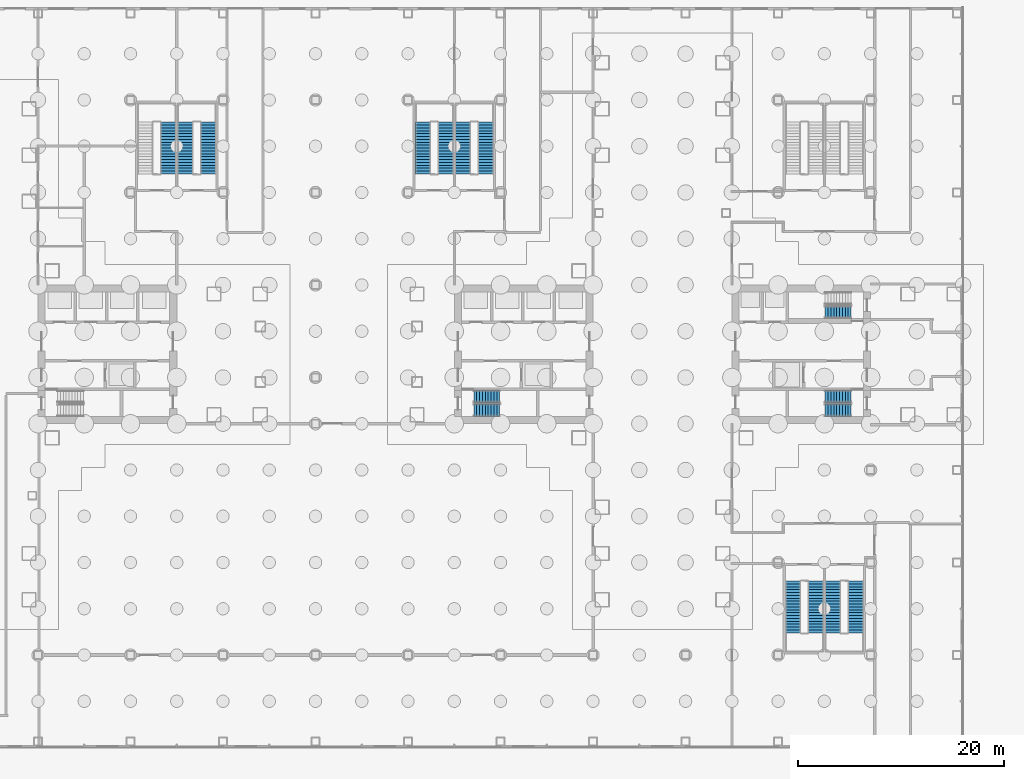
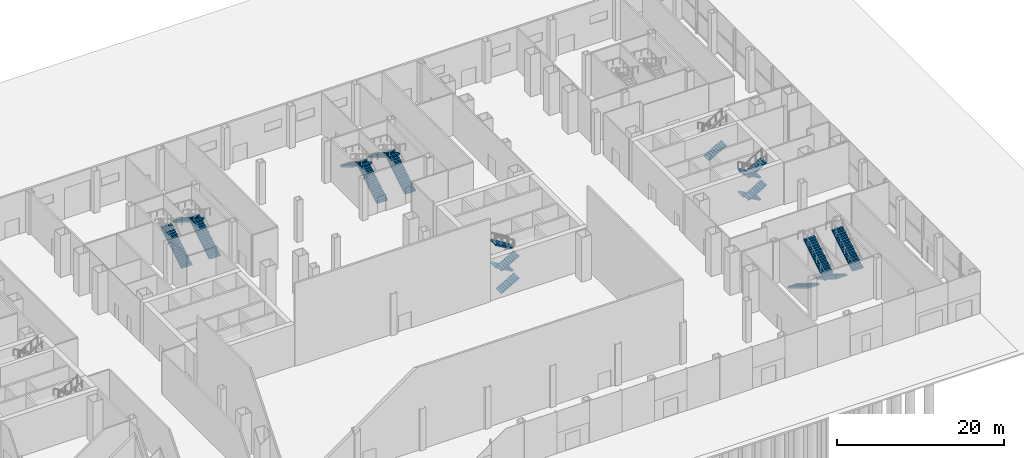
# One storey, part 28 of 37: 20 stair flights, 9 elements without a shape of their own.
"""IFC4 building model written with IfcOpenShell, lengths in metres."""

from ifc_helpers import new_model, si_unit, direction, frame, origin, place, context, subcontext, project, spatial, polyline, outline, extrude, material, type_object, element, aggregate, save


model = new_model("IFC4")

# Units and contexts
model_context = context("Model", 3, precision=1e-05, world=origin(), true_north=direction((0.0, 1.0)))
body_context = subcontext(model_context, "Body", "Model", "MODEL_VIEW")
ifc_project = project(units=[si_unit("LENGTHUNIT", "METRE"), si_unit("AREAUNIT", "SQUARE_METRE"), si_unit("VOLUMEUNIT", "CUBIC_METRE"), si_unit("PLANEANGLEUNIT", "RADIAN"), si_unit("MASSUNIT", "GRAM", prefix="KILO")], contexts=[model_context])

# Site, building, storey
site_placement = place(None, origin())
site = spatial("IfcSite", under=ifc_project, at=site_placement, CompositionType="ELEMENT")
building_placement = place(site_placement, origin())
building = spatial("IfcBuilding", under=site, at=building_placement, Name="Shamsa Quay Exchange Towers", CompositionType="ELEMENT")
storey_placement = place(building_placement, origin())
storey = spatial("IfcBuildingStorey", under=building, at=storey_placement, Name="L00", CompositionType="ELEMENT", Elevation=0.0)

# Stair, stair flights
ifc_material = material(Name="Concrete C40/50", Category="concrete")
stair_type_1 = type_object("IfcStairType", Name="EXIT STAIR 40 RISERS 162 MM", PredefinedType="HALF_TURN_STAIR", material=ifc_material)
stair_1_placement = place(storey_placement, origin())
stair_1 = element("IfcStair", 1, at=stair_1_placement, inside=storey, type_object=stair_type_1, Name="L00 Exit stair ST4", PredefinedType="HALF_TURN_STAIR")
stair_flight_type_1 = type_object("IfcStairFlightType", Name="EXIT STAIR FLIGHT 10 RISERS 162 MM", PredefinedType="STRAIGHT", material=ifc_material)
stair_flight_1_placement = place(storey_placement, frame((15.39990234375, -5.449951171875, 0.0)))
stair_flight_1 = element("IfcStairFlight", 2, at=stair_flight_1_placement, type_object=stair_flight_type_1, Name="ST4 flight 1", NumberOfRisers=10, NumberOfTreads=9, PredefinedType="STRAIGHT", RiserHeight=0.1625, TreadLength=0.28, context=body_context, shape_type="SweptSolid", body=[
    extrude(outline(polyline([(0.0, 0.0), (0.0, 0.16259765625), (0.280029296875, 0.16259765625), (0.280029296875, 0.324951171875), (0.56005859375, 0.324951171875), (0.56005859375, 0.487548828125), (0.840087890625, 0.487548828125), (0.840087890625, 0.64990234375), (1.1201171875, 0.64990234375), (1.1201171875, 0.8125), (1.39990234375, 0.8125), (1.39990234375, 0.97509765625), (1.679931640625, 0.97509765625), (1.679931640625, 1.137451171875), (1.9599609375, 1.137451171875), (1.9599609375, 1.300048828125), (2.239990234375, 1.300048828125), (2.239990234375, 1.46240234375), (2.52001953125, 1.46240234375), (2.52001953125, 1.625), (2.52001953125, 1.30078125), (0.27880859375, 0.0), (0.0, 0.0)])), frame((0.0, 0.60009765625, 0.0), z_axis=(0.0, -1.0, 0.0), x_axis=(1.0, 0.0, 0.0)), (0.0, 0.0, 1.0), 1.199951171875),
])
stair_flight_2_placement = place(storey_placement, frame((17.919921875, -4.10009765625, 1.625), z_axis=(0.0, 0.0, 1.0), x_axis=(-1.0, 0.0, 0.0)))
stair_flight_2 = element("IfcStairFlight", 3, at=stair_flight_2_placement, type_object=stair_flight_type_1, Name="ST4 flight 2", NumberOfRisers=10, NumberOfTreads=9, PredefinedType="STRAIGHT", RiserHeight=0.1625, TreadLength=0.28, context=body_context, shape_type="SweptSolid", body=[
    extrude(outline(polyline([(0.0, 0.0), (0.0, 0.16259765625), (0.280029296875, 0.16259765625), (0.280029296875, 0.324951171875), (0.56005859375, 0.324951171875), (0.56005859375, 0.487548828125), (0.840087890625, 0.487548828125), (0.840087890625, 0.64990234375), (1.1201171875, 0.64990234375), (1.1201171875, 0.8125), (1.39990234375, 0.8125), (1.39990234375, 0.97509765625), (1.679931640625, 0.97509765625), (1.679931640625, 1.137451171875), (1.9599609375, 1.137451171875), (1.9599609375, 1.300048828125), (2.239990234375, 1.300048828125), (2.239990234375, 1.46240234375), (2.52001953125, 1.46240234375), (2.52001953125, 1.625), (2.52001953125, 1.30078125), (0.27880859375, 0.0), (0.0, 0.0)])), frame((0.0, 0.60009765625, 0.0), z_axis=(0.0, -1.0, 0.0), x_axis=(1.0, 0.0, 0.0)), (0.0, 0.0, 1.0), 1.199951171875),
])
stair_flight_3_placement = place(storey_placement, frame((15.39990234375, -5.449951171875, 3.25)))
stair_flight_3 = element("IfcStairFlight", 4, at=stair_flight_3_placement, type_object=stair_flight_type_1, Name="ST4 flight 3", NumberOfRisers=10, NumberOfTreads=9, PredefinedType="STRAIGHT", RiserHeight=0.1625, TreadLength=0.28, context=body_context, shape_type="SweptSolid", body=[
    extrude(outline(polyline([(0.0, 0.0), (0.0, 0.16259765625), (0.280029296875, 0.16259765625), (0.280029296875, 0.324951171875), (0.56005859375, 0.324951171875), (0.56005859375, 0.487548828125), (0.840087890625, 0.487548828125), (0.840087890625, 0.64990234375), (1.1201171875, 0.64990234375), (1.1201171875, 0.8125), (1.39990234375, 0.8125), (1.39990234375, 0.97509765625), (1.679931640625, 0.97509765625), (1.679931640625, 1.137451171875), (1.9599609375, 1.137451171875), (1.9599609375, 1.300048828125), (2.239990234375, 1.300048828125), (2.239990234375, 1.46240234375), (2.52001953125, 1.46240234375), (2.52001953125, 1.625), (2.52001953125, 1.30078125), (0.27880859375, 0.0), (0.0, 0.0)])), frame((0.0, 0.60009765625, 0.0), z_axis=(0.0, -1.0, 0.0), x_axis=(1.0, 0.0, 0.0)), (0.0, 0.0, 1.0), 1.199951171875),
])
stair_flight_4_placement = place(storey_placement, frame((17.919921875, -4.10009765625, 4.875), z_axis=(0.0, 0.0, 1.0), x_axis=(-1.0, 0.0, 0.0)))
stair_flight_4 = element("IfcStairFlight", 5, at=stair_flight_4_placement, type_object=stair_flight_type_1, Name="ST4 flight 4", NumberOfRisers=10, NumberOfTreads=9, PredefinedType="STRAIGHT", RiserHeight=0.1625, TreadLength=0.28, context=body_context, shape_type="SweptSolid", body=[
    extrude(outline(polyline([(0.0, 0.0), (0.0, 0.16259765625), (0.280029296875, 0.16259765625), (0.280029296875, 0.324951171875), (0.56005859375, 0.324951171875), (0.56005859375, 0.487548828125), (0.840087890625, 0.487548828125), (0.840087890625, 0.64990234375), (1.1201171875, 0.64990234375), (1.1201171875, 0.8125), (1.39990234375, 0.8125), (1.39990234375, 0.97509765625), (1.679931640625, 0.97509765625), (1.679931640625, 1.137451171875), (1.9599609375, 1.137451171875), (1.9599609375, 1.300048828125), (2.239990234375, 1.300048828125), (2.239990234375, 1.46240234375), (2.52001953125, 1.46240234375), (2.52001953125, 1.625), (2.52001953125, 1.30078125), (0.27880859375, 0.0), (0.0, 0.0)])), frame((0.0, 0.60009765625, 0.0), z_axis=(0.0, -1.0, 0.0), x_axis=(1.0, 0.0, 0.0)), (0.0, 0.0, 1.0), 1.199951171875),
])
aggregate(stair_1, [stair_flight_1, stair_flight_2, stair_flight_3, stair_flight_4])

stair_2_placement = place(storey_placement, origin())
stair_2 = element("IfcStair", 6, at=stair_2_placement, inside=storey, type_object=stair_type_1, Name="L00 Exit stair ST5", PredefinedType="HALF_TURN_STAIR")
stair_flight_5_placement = place(storey_placement, frame((52.10009765625, -4.10009765625, 0.0), z_axis=(0.0, 0.0, 1.0), x_axis=(-1.0, 0.0, 0.0)))
stair_flight_5 = element("IfcStairFlight", 7, at=stair_flight_5_placement, type_object=stair_flight_type_1, Name="ST5 flight 1", NumberOfRisers=10, NumberOfTreads=9, PredefinedType="STRAIGHT", RiserHeight=0.1625, TreadLength=0.28, context=body_context, shape_type="SweptSolid", body=[
    extrude(outline(polyline([(0.0, 0.0), (0.0, 0.16259765625), (0.280029296875, 0.16259765625), (0.280029296875, 0.324951171875), (0.56005859375, 0.324951171875), (0.56005859375, 0.487548828125), (0.840087890625, 0.487548828125), (0.840087890625, 0.64990234375), (1.1201171875, 0.64990234375), (1.1201171875, 0.8125), (1.39990234375, 0.8125), (1.39990234375, 0.97509765625), (1.679931640625, 0.97509765625), (1.679931640625, 1.137451171875), (1.9599609375, 1.137451171875), (1.9599609375, 1.300048828125), (2.239990234375, 1.300048828125), (2.239990234375, 1.46240234375), (2.52001953125, 1.46240234375), (2.52001953125, 1.625), (2.52001953125, 1.30078125), (0.27880859375, 0.0), (0.0, 0.0)])), frame((0.0, 0.60009765625, 0.0), z_axis=(0.0, -1.0, 0.0), x_axis=(1.0, 0.0, 0.0)), (0.0, 0.0, 1.0), 1.199951171875),
])
stair_flight_6_placement = place(storey_placement, frame((49.580078125, -5.449951171875, 1.625)))
stair_flight_6 = element("IfcStairFlight", 8, at=stair_flight_6_placement, type_object=stair_flight_type_1, Name="ST5 flight 2", NumberOfRisers=10, NumberOfTreads=9, PredefinedType="STRAIGHT", RiserHeight=0.1625, TreadLength=0.28, context=body_context, shape_type="SweptSolid", body=[
    extrude(outline(polyline([(0.0, 0.0), (0.0, 0.16259765625), (0.280029296875, 0.16259765625), (0.280029296875, 0.324951171875), (0.56005859375, 0.324951171875), (0.56005859375, 0.487548828125), (0.840087890625, 0.487548828125), (0.840087890625, 0.64990234375), (1.1201171875, 0.64990234375), (1.1201171875, 0.8125), (1.39990234375, 0.8125), (1.39990234375, 0.97509765625), (1.679931640625, 0.97509765625), (1.679931640625, 1.137451171875), (1.9599609375, 1.137451171875), (1.9599609375, 1.300048828125), (2.239990234375, 1.300048828125), (2.239990234375, 1.46240234375), (2.52001953125, 1.46240234375), (2.52001953125, 1.625), (2.52001953125, 1.30078125), (0.27880859375, 0.0), (0.0, 0.0)])), frame((0.0, 0.60009765625, 0.0), z_axis=(0.0, -1.0, 0.0), x_axis=(1.0, 0.0, 0.0)), (0.0, 0.0, 1.0), 1.199951171875),
])
stair_flight_7_placement = place(storey_placement, frame((52.10009765625, -4.10009765625, 3.25), z_axis=(0.0, 0.0, 1.0), x_axis=(-1.0, 0.0, 0.0)))
stair_flight_7 = element("IfcStairFlight", 9, at=stair_flight_7_placement, type_object=stair_flight_type_1, Name="ST5 flight 3", NumberOfRisers=10, NumberOfTreads=9, PredefinedType="STRAIGHT", RiserHeight=0.1625, TreadLength=0.28, context=body_context, shape_type="SweptSolid", body=[
    extrude(outline(polyline([(0.0, 0.0), (0.0, 0.16259765625), (0.280029296875, 0.16259765625), (0.280029296875, 0.324951171875), (0.56005859375, 0.324951171875), (0.56005859375, 0.487548828125), (0.840087890625, 0.487548828125), (0.840087890625, 0.64990234375), (1.1201171875, 0.64990234375), (1.1201171875, 0.8125), (1.39990234375, 0.8125), (1.39990234375, 0.97509765625), (1.679931640625, 0.97509765625), (1.679931640625, 1.137451171875), (1.9599609375, 1.137451171875), (1.9599609375, 1.300048828125), (2.239990234375, 1.300048828125), (2.239990234375, 1.46240234375), (2.52001953125, 1.46240234375), (2.52001953125, 1.625), (2.52001953125, 1.30078125), (0.27880859375, 0.0), (0.0, 0.0)])), frame((0.0, 0.60009765625, 0.0), z_axis=(0.0, -1.0, 0.0), x_axis=(1.0, 0.0, 0.0)), (0.0, 0.0, 1.0), 1.199951171875),
])
stair_flight_8_placement = place(storey_placement, frame((49.580078125, -5.449951171875, 4.875)))
stair_flight_8 = element("IfcStairFlight", 10, at=stair_flight_8_placement, type_object=stair_flight_type_1, Name="ST5 flight 4", NumberOfRisers=10, NumberOfTreads=9, PredefinedType="STRAIGHT", RiserHeight=0.1625, TreadLength=0.28, context=body_context, shape_type="SweptSolid", body=[
    extrude(outline(polyline([(0.0, 0.0), (0.0, 0.16259765625), (0.280029296875, 0.16259765625), (0.280029296875, 0.324951171875), (0.56005859375, 0.324951171875), (0.56005859375, 0.487548828125), (0.840087890625, 0.487548828125), (0.840087890625, 0.64990234375), (1.1201171875, 0.64990234375), (1.1201171875, 0.8125), (1.39990234375, 0.8125), (1.39990234375, 0.97509765625), (1.679931640625, 0.97509765625), (1.679931640625, 1.137451171875), (1.9599609375, 1.137451171875), (1.9599609375, 1.300048828125), (2.239990234375, 1.300048828125), (2.239990234375, 1.46240234375), (2.52001953125, 1.46240234375), (2.52001953125, 1.625), (2.52001953125, 1.30078125), (0.27880859375, 0.0), (0.0, 0.0)])), frame((0.0, 0.60009765625, 0.0), z_axis=(0.0, -1.0, 0.0), x_axis=(1.0, 0.0, 0.0)), (0.0, 0.0, 1.0), 1.199951171875),
])
aggregate(stair_2, [stair_flight_5, stair_flight_6, stair_flight_7, stair_flight_8])

# Stair, stair flight
stair_3_placement = place(storey_placement, origin())
stair_3 = element("IfcStair", 11, at=stair_3_placement, inside=storey, type_object=stair_type_1, Name="L00 Exit stair ST6", PredefinedType="HALF_TURN_STAIR")
stair_flight_9_placement = place(storey_placement, frame((49.580078125, 4.10009765625, 1.625)))
stair_flight_9 = element("IfcStairFlight", 12, at=stair_flight_9_placement, type_object=stair_flight_type_1, Name="ST6 flight 2", NumberOfRisers=10, NumberOfTreads=9, PredefinedType="STRAIGHT", RiserHeight=0.1625, TreadLength=0.28, context=body_context, shape_type="SweptSolid", body=[
    extrude(outline(polyline([(0.0, 0.0), (0.0, 0.16259765625), (0.280029296875, 0.16259765625), (0.280029296875, 0.324951171875), (0.56005859375, 0.324951171875), (0.56005859375, 0.487548828125), (0.840087890625, 0.487548828125), (0.840087890625, 0.64990234375), (1.1201171875, 0.64990234375), (1.1201171875, 0.8125), (1.39990234375, 0.8125), (1.39990234375, 0.97509765625), (1.679931640625, 0.97509765625), (1.679931640625, 1.137451171875), (1.9599609375, 1.137451171875), (1.9599609375, 1.300048828125), (2.239990234375, 1.300048828125), (2.239990234375, 1.46240234375), (2.52001953125, 1.46240234375), (2.52001953125, 1.625), (2.52001953125, 1.30078125), (0.27880859375, 0.0), (0.0, 0.0)])), frame((0.0, 0.60009765625, 0.0), z_axis=(0.0, -1.0, 0.0), x_axis=(1.0, 0.0, 0.0)), (0.0, 0.0, 1.0), 1.199951171875),
])
aggregate(stair_3, [stair_flight_9])

stair_type_2 = type_object("IfcStairType", Name="PODIUM EXIT STAIR 38 RISERS 171 MM 1500 WIDE", PredefinedType="HALF_TURN_STAIR", material=ifc_material)
stair_4_placement = place(storey_placement, origin())
stair_4 = element("IfcStair", 13, at=stair_4_placement, inside=storey, type_object=stair_type_2, Name="L00 Exit stair PS2A", PredefinedType="HALF_TURN_STAIR")
stair_flight_type_2 = type_object("IfcStairFlightType", Name="PODIUM EXIT STAIR FLIGHT 19 RISERS 171 MM 1500 WIDE", PredefinedType="STRAIGHT", material=ifc_material)
stair_flight_10_placement = place(storey_placement, frame((-14.324951171875, 17.550048828125, 0.0), z_axis=(0.0, 0.0, 1.0), x_axis=(0.0, 1.0, 0.0)))
stair_flight_10 = element("IfcStairFlight", 14, at=stair_flight_10_placement, type_object=stair_flight_type_2, Name="PS2A flight 1", NumberOfRisers=19, NumberOfTreads=18, PredefinedType="STRAIGHT", RiserHeight=0.171052632, TreadLength=0.28, context=body_context, shape_type="SweptSolid", body=[
    extrude(outline(polyline([(0.0, 0.0), (0.0, 0.171142578125), (0.280029296875, 0.171142578125), (0.280029296875, 0.342041015625), (0.56005859375, 0.342041015625), (0.56005859375, 0.51318359375), (0.840087890625, 0.51318359375), (0.840087890625, 0.684326171875), (1.1201171875, 0.684326171875), (1.1201171875, 0.855224609375), (1.39990234375, 0.855224609375), (1.39990234375, 1.0263671875), (1.679931640625, 1.0263671875), (1.679931640625, 1.197265625), (1.9599609375, 1.197265625), (1.9599609375, 1.368408203125), (2.239990234375, 1.368408203125), (2.239990234375, 1.53955078125), (2.52001953125, 1.53955078125), (2.52001953125, 1.71044921875), (2.800048828125, 1.71044921875), (2.800048828125, 1.881591796875), (3.080078125, 1.881591796875), (3.080078125, 2.052734375), (3.360107421875, 2.052734375), (3.360107421875, 2.2236328125), (3.639892578125, 2.2236328125), (3.639892578125, 2.394775390625), (3.919921875, 2.394775390625), (3.919921875, 2.565673828125), (4.199951171875, 2.565673828125), (4.199951171875, 2.73681640625), (4.47998046875, 2.73681640625), (4.47998046875, 2.907958984375), (4.760009765625, 2.907958984375), (4.760009765625, 3.078857421875), (5.0400390625, 3.078857421875), (5.0400390625, 3.25), (5.0400390625, 2.9033203125), (0.28759765625, 0.0), (0.0, 0.0)])), frame((0.0, 0.75, 0.0), z_axis=(0.0, -1.0, 0.0), x_axis=(1.0, 0.0, 0.0)), (0.0, 0.0, 1.0), 1.5),
])
aggregate(stair_4, [stair_flight_10])

# Stair, stair flights
stair_5_placement = place(storey_placement, origin())
stair_5 = element("IfcStair", 15, at=stair_5_placement, inside=storey, type_object=stair_type_2, Name="L00 Exit stair PS2B", PredefinedType="HALF_TURN_STAIR")
stair_flight_11_placement = place(storey_placement, frame((-10.449951171875, 17.550048828125, 0.0), z_axis=(0.0, 0.0, 1.0), x_axis=(0.0, 1.0, 0.0)))
stair_flight_11 = element("IfcStairFlight", 16, at=stair_flight_11_placement, type_object=stair_flight_type_2, Name="PS2B flight 1", NumberOfRisers=19, NumberOfTreads=18, PredefinedType="STRAIGHT", RiserHeight=0.171052632, TreadLength=0.28, context=body_context, shape_type="SweptSolid", body=[
    extrude(outline(polyline([(0.0, 0.0), (0.0, 0.171142578125), (0.280029296875, 0.171142578125), (0.280029296875, 0.342041015625), (0.56005859375, 0.342041015625), (0.56005859375, 0.51318359375), (0.840087890625, 0.51318359375), (0.840087890625, 0.684326171875), (1.1201171875, 0.684326171875), (1.1201171875, 0.855224609375), (1.39990234375, 0.855224609375), (1.39990234375, 1.0263671875), (1.679931640625, 1.0263671875), (1.679931640625, 1.197265625), (1.9599609375, 1.197265625), (1.9599609375, 1.368408203125), (2.239990234375, 1.368408203125), (2.239990234375, 1.53955078125), (2.52001953125, 1.53955078125), (2.52001953125, 1.71044921875), (2.800048828125, 1.71044921875), (2.800048828125, 1.881591796875), (3.080078125, 1.881591796875), (3.080078125, 2.052734375), (3.360107421875, 2.052734375), (3.360107421875, 2.2236328125), (3.639892578125, 2.2236328125), (3.639892578125, 2.394775390625), (3.919921875, 2.394775390625), (3.919921875, 2.565673828125), (4.199951171875, 2.565673828125), (4.199951171875, 2.73681640625), (4.47998046875, 2.73681640625), (4.47998046875, 2.907958984375), (4.760009765625, 2.907958984375), (4.760009765625, 3.078857421875), (5.0400390625, 3.078857421875), (5.0400390625, 3.25), (5.0400390625, 2.9033203125), (0.28759765625, 0.0), (0.0, 0.0)])), frame((0.0, 0.75, 0.0), z_axis=(0.0, -1.0, 0.0), x_axis=(1.0, 0.0, 0.0)), (0.0, 0.0, 1.0), 1.5),
])
stair_flight_12_placement = place(storey_placement, frame((-12.675048828125, 22.590087890625, 3.25), z_axis=(0.0, 0.0, 1.0), x_axis=(0.0, -1.0, 0.0)))
stair_flight_12 = element("IfcStairFlight", 17, at=stair_flight_12_placement, type_object=stair_flight_type_2, Name="PS2B flight 2", NumberOfRisers=19, NumberOfTreads=18, PredefinedType="STRAIGHT", RiserHeight=0.171052632, TreadLength=0.28, context=body_context, shape_type="SweptSolid", body=[
    extrude(outline(polyline([(0.0, 0.0), (0.0, 0.171142578125), (0.280029296875, 0.171142578125), (0.280029296875, 0.342041015625), (0.56005859375, 0.342041015625), (0.56005859375, 0.51318359375), (0.840087890625, 0.51318359375), (0.840087890625, 0.684326171875), (1.1201171875, 0.684326171875), (1.1201171875, 0.855224609375), (1.39990234375, 0.855224609375), (1.39990234375, 1.0263671875), (1.679931640625, 1.0263671875), (1.679931640625, 1.197265625), (1.9599609375, 1.197265625), (1.9599609375, 1.368408203125), (2.239990234375, 1.368408203125), (2.239990234375, 1.53955078125), (2.52001953125, 1.53955078125), (2.52001953125, 1.71044921875), (2.800048828125, 1.71044921875), (2.800048828125, 1.881591796875), (3.080078125, 1.881591796875), (3.080078125, 2.052734375), (3.360107421875, 2.052734375), (3.360107421875, 2.2236328125), (3.639892578125, 2.2236328125), (3.639892578125, 2.394775390625), (3.919921875, 2.394775390625), (3.919921875, 2.565673828125), (4.199951171875, 2.565673828125), (4.199951171875, 2.73681640625), (4.47998046875, 2.73681640625), (4.47998046875, 2.907958984375), (4.760009765625, 2.907958984375), (4.760009765625, 3.078857421875), (5.0400390625, 3.078857421875), (5.0400390625, 3.25), (5.0400390625, 2.9033203125), (0.28759765625, 0.0), (0.0, 0.0)])), frame((0.0, 0.75, 0.0), z_axis=(0.0, -1.0, 0.0), x_axis=(1.0, 0.0, 0.0)), (0.0, 0.0, 1.0), 1.5),
])
aggregate(stair_5, [stair_flight_11, stair_flight_12])

stair_6_placement = place(storey_placement, origin())
stair_6 = element("IfcStair", 18, at=stair_6_placement, inside=storey, type_object=stair_type_2, Name="L00 Exit stair PS3A", PredefinedType="HALF_TURN_STAIR")
stair_flight_13_placement = place(storey_placement, frame((12.675048828125, 17.550048828125, 0.0), z_axis=(0.0, 0.0, 1.0), x_axis=(0.0, 1.0, 0.0)))
stair_flight_13 = element("IfcStairFlight", 19, at=stair_flight_13_placement, type_object=stair_flight_type_2, Name="PS3A flight 1", NumberOfRisers=19, NumberOfTreads=18, PredefinedType="STRAIGHT", RiserHeight=0.171052632, TreadLength=0.28, context=body_context, shape_type="SweptSolid", body=[
    extrude(outline(polyline([(0.0, 0.0), (0.0, 0.171142578125), (0.280029296875, 0.171142578125), (0.280029296875, 0.342041015625), (0.56005859375, 0.342041015625), (0.56005859375, 0.51318359375), (0.840087890625, 0.51318359375), (0.840087890625, 0.684326171875), (1.1201171875, 0.684326171875), (1.1201171875, 0.855224609375), (1.39990234375, 0.855224609375), (1.39990234375, 1.0263671875), (1.679931640625, 1.0263671875), (1.679931640625, 1.197265625), (1.9599609375, 1.197265625), (1.9599609375, 1.368408203125), (2.239990234375, 1.368408203125), (2.239990234375, 1.53955078125), (2.52001953125, 1.53955078125), (2.52001953125, 1.71044921875), (2.800048828125, 1.71044921875), (2.800048828125, 1.881591796875), (3.080078125, 1.881591796875), (3.080078125, 2.052734375), (3.360107421875, 2.052734375), (3.360107421875, 2.2236328125), (3.639892578125, 2.2236328125), (3.639892578125, 2.394775390625), (3.919921875, 2.394775390625), (3.919921875, 2.565673828125), (4.199951171875, 2.565673828125), (4.199951171875, 2.73681640625), (4.47998046875, 2.73681640625), (4.47998046875, 2.907958984375), (4.760009765625, 2.907958984375), (4.760009765625, 3.078857421875), (5.0400390625, 3.078857421875), (5.0400390625, 3.25), (5.0400390625, 2.9033203125), (0.28759765625, 0.0), (0.0, 0.0)])), frame((0.0, 0.75, 0.0), z_axis=(0.0, -1.0, 0.0), x_axis=(1.0, 0.0, 0.0)), (0.0, 0.0, 1.0), 1.5),
])
stair_flight_14_placement = place(storey_placement, frame((10.449951171875, 22.590087890625, 3.25), z_axis=(0.0, 0.0, 1.0), x_axis=(0.0, -1.0, 0.0)))
stair_flight_14 = element("IfcStairFlight", 20, at=stair_flight_14_placement, type_object=stair_flight_type_2, Name="PS3A flight 2", NumberOfRisers=19, NumberOfTreads=18, PredefinedType="STRAIGHT", RiserHeight=0.171052632, TreadLength=0.28, context=body_context, shape_type="SweptSolid", body=[
    extrude(outline(polyline([(0.0, 0.0), (0.0, 0.171142578125), (0.280029296875, 0.171142578125), (0.280029296875, 0.342041015625), (0.56005859375, 0.342041015625), (0.56005859375, 0.51318359375), (0.840087890625, 0.51318359375), (0.840087890625, 0.684326171875), (1.1201171875, 0.684326171875), (1.1201171875, 0.855224609375), (1.39990234375, 0.855224609375), (1.39990234375, 1.0263671875), (1.679931640625, 1.0263671875), (1.679931640625, 1.197265625), (1.9599609375, 1.197265625), (1.9599609375, 1.368408203125), (2.239990234375, 1.368408203125), (2.239990234375, 1.53955078125), (2.52001953125, 1.53955078125), (2.52001953125, 1.71044921875), (2.800048828125, 1.71044921875), (2.800048828125, 1.881591796875), (3.080078125, 1.881591796875), (3.080078125, 2.052734375), (3.360107421875, 2.052734375), (3.360107421875, 2.2236328125), (3.639892578125, 2.2236328125), (3.639892578125, 2.394775390625), (3.919921875, 2.394775390625), (3.919921875, 2.565673828125), (4.199951171875, 2.565673828125), (4.199951171875, 2.73681640625), (4.47998046875, 2.73681640625), (4.47998046875, 2.907958984375), (4.760009765625, 2.907958984375), (4.760009765625, 3.078857421875), (5.0400390625, 3.078857421875), (5.0400390625, 3.25), (5.0400390625, 2.9033203125), (0.28759765625, 0.0), (0.0, 0.0)])), frame((0.0, 0.75, 0.0), z_axis=(0.0, -1.0, 0.0), x_axis=(1.0, 0.0, 0.0)), (0.0, 0.0, 1.0), 1.5),
])
aggregate(stair_6, [stair_flight_13, stair_flight_14])

stair_7_placement = place(storey_placement, origin())
stair_7 = element("IfcStair", 21, at=stair_7_placement, inside=storey, type_object=stair_type_2, Name="L00 Exit stair PS3B", PredefinedType="HALF_TURN_STAIR")
stair_flight_15_placement = place(storey_placement, frame((16.550048828125, 17.550048828125, 0.0), z_axis=(0.0, 0.0, 1.0), x_axis=(0.0, 1.0, 0.0)))
stair_flight_15 = element("IfcStairFlight", 22, at=stair_flight_15_placement, type_object=stair_flight_type_2, Name="PS3B flight 1", NumberOfRisers=19, NumberOfTreads=18, PredefinedType="STRAIGHT", RiserHeight=0.171052632, TreadLength=0.28, context=body_context, shape_type="SweptSolid", body=[
    extrude(outline(polyline([(0.0, 0.0), (0.0, 0.171142578125), (0.280029296875, 0.171142578125), (0.280029296875, 0.342041015625), (0.56005859375, 0.342041015625), (0.56005859375, 0.51318359375), (0.840087890625, 0.51318359375), (0.840087890625, 0.684326171875), (1.1201171875, 0.684326171875), (1.1201171875, 0.855224609375), (1.39990234375, 0.855224609375), (1.39990234375, 1.0263671875), (1.679931640625, 1.0263671875), (1.679931640625, 1.197265625), (1.9599609375, 1.197265625), (1.9599609375, 1.368408203125), (2.239990234375, 1.368408203125), (2.239990234375, 1.53955078125), (2.52001953125, 1.53955078125), (2.52001953125, 1.71044921875), (2.800048828125, 1.71044921875), (2.800048828125, 1.881591796875), (3.080078125, 1.881591796875), (3.080078125, 2.052734375), (3.360107421875, 2.052734375), (3.360107421875, 2.2236328125), (3.639892578125, 2.2236328125), (3.639892578125, 2.394775390625), (3.919921875, 2.394775390625), (3.919921875, 2.565673828125), (4.199951171875, 2.565673828125), (4.199951171875, 2.73681640625), (4.47998046875, 2.73681640625), (4.47998046875, 2.907958984375), (4.760009765625, 2.907958984375), (4.760009765625, 3.078857421875), (5.0400390625, 3.078857421875), (5.0400390625, 3.25), (5.0400390625, 2.9033203125), (0.28759765625, 0.0), (0.0, 0.0)])), frame((0.0, 0.75, 0.0), z_axis=(0.0, -1.0, 0.0), x_axis=(1.0, 0.0, 0.0)), (0.0, 0.0, 1.0), 1.5),
])
stair_flight_16_placement = place(storey_placement, frame((14.324951171875, 22.590087890625, 3.25), z_axis=(0.0, 0.0, 1.0), x_axis=(0.0, -1.0, 0.0)))
stair_flight_16 = element("IfcStairFlight", 23, at=stair_flight_16_placement, type_object=stair_flight_type_2, Name="PS3B flight 2", NumberOfRisers=19, NumberOfTreads=18, PredefinedType="STRAIGHT", RiserHeight=0.171052632, TreadLength=0.28, context=body_context, shape_type="SweptSolid", body=[
    extrude(outline(polyline([(0.0, 0.0), (0.0, 0.171142578125), (0.280029296875, 0.171142578125), (0.280029296875, 0.342041015625), (0.56005859375, 0.342041015625), (0.56005859375, 0.51318359375), (0.840087890625, 0.51318359375), (0.840087890625, 0.684326171875), (1.1201171875, 0.684326171875), (1.1201171875, 0.855224609375), (1.39990234375, 0.855224609375), (1.39990234375, 1.0263671875), (1.679931640625, 1.0263671875), (1.679931640625, 1.197265625), (1.9599609375, 1.197265625), (1.9599609375, 1.368408203125), (2.239990234375, 1.368408203125), (2.239990234375, 1.53955078125), (2.52001953125, 1.53955078125), (2.52001953125, 1.71044921875), (2.800048828125, 1.71044921875), (2.800048828125, 1.881591796875), (3.080078125, 1.881591796875), (3.080078125, 2.052734375), (3.360107421875, 2.052734375), (3.360107421875, 2.2236328125), (3.639892578125, 2.2236328125), (3.639892578125, 2.394775390625), (3.919921875, 2.394775390625), (3.919921875, 2.565673828125), (4.199951171875, 2.565673828125), (4.199951171875, 2.73681640625), (4.47998046875, 2.73681640625), (4.47998046875, 2.907958984375), (4.760009765625, 2.907958984375), (4.760009765625, 3.078857421875), (5.0400390625, 3.078857421875), (5.0400390625, 3.25), (5.0400390625, 2.9033203125), (0.28759765625, 0.0), (0.0, 0.0)])), frame((0.0, 0.75, 0.0), z_axis=(0.0, -1.0, 0.0), x_axis=(1.0, 0.0, 0.0)), (0.0, 0.0, 1.0), 1.5),
])
aggregate(stair_7, [stair_flight_15, stair_flight_16])

stair_8_placement = place(storey_placement, origin())
stair_8 = element("IfcStair", 24, at=stair_8_placement, inside=storey, type_object=stair_type_2, Name="L00 Exit stair PS6A", PredefinedType="HALF_TURN_STAIR")
stair_flight_17_placement = place(storey_placement, frame((46.449951171875, -22.050048828125, 0.0), z_axis=(0.0, 0.0, 1.0), x_axis=(0.0, -1.0, 0.0)))
stair_flight_17 = element("IfcStairFlight", 25, at=stair_flight_17_placement, type_object=stair_flight_type_2, Name="PS6A flight 1", NumberOfRisers=19, NumberOfTreads=18, PredefinedType="STRAIGHT", RiserHeight=0.171052632, TreadLength=0.28, context=body_context, shape_type="SweptSolid", body=[
    extrude(outline(polyline([(0.0, 0.0), (0.0, 0.171142578125), (0.280029296875, 0.171142578125), (0.280029296875, 0.342041015625), (0.56005859375, 0.342041015625), (0.56005859375, 0.51318359375), (0.840087890625, 0.51318359375), (0.840087890625, 0.684326171875), (1.1201171875, 0.684326171875), (1.1201171875, 0.855224609375), (1.39990234375, 0.855224609375), (1.39990234375, 1.0263671875), (1.679931640625, 1.0263671875), (1.679931640625, 1.197265625), (1.9599609375, 1.197265625), (1.9599609375, 1.368408203125), (2.239990234375, 1.368408203125), (2.239990234375, 1.53955078125), (2.52001953125, 1.53955078125), (2.52001953125, 1.71044921875), (2.800048828125, 1.71044921875), (2.800048828125, 1.881591796875), (3.080078125, 1.881591796875), (3.080078125, 2.052734375), (3.360107421875, 2.052734375), (3.360107421875, 2.2236328125), (3.639892578125, 2.2236328125), (3.639892578125, 2.394775390625), (3.919921875, 2.394775390625), (3.919921875, 2.565673828125), (4.199951171875, 2.565673828125), (4.199951171875, 2.73681640625), (4.47998046875, 2.73681640625), (4.47998046875, 2.907958984375), (4.760009765625, 2.907958984375), (4.760009765625, 3.078857421875), (5.0400390625, 3.078857421875), (5.0400390625, 3.25), (5.0400390625, 2.9033203125), (0.28759765625, 0.0), (0.0, 0.0)])), frame((0.0, 0.75, 0.0), z_axis=(0.0, -1.0, 0.0), x_axis=(1.0, 0.0, 0.0)), (0.0, 0.0, 1.0), 1.5),
])
stair_flight_18_placement = place(storey_placement, frame((48.675048828125, -27.090087890625, 3.25), z_axis=(0.0, 0.0, 1.0), x_axis=(0.0, 1.0, 0.0)))
stair_flight_18 = element("IfcStairFlight", 26, at=stair_flight_18_placement, type_object=stair_flight_type_2, Name="PS6A flight 2", NumberOfRisers=19, NumberOfTreads=18, PredefinedType="STRAIGHT", RiserHeight=0.171052632, TreadLength=0.28, context=body_context, shape_type="SweptSolid", body=[
    extrude(outline(polyline([(0.0, 0.0), (0.0, 0.171142578125), (0.280029296875, 0.171142578125), (0.280029296875, 0.342041015625), (0.56005859375, 0.342041015625), (0.56005859375, 0.51318359375), (0.840087890625, 0.51318359375), (0.840087890625, 0.684326171875), (1.1201171875, 0.684326171875), (1.1201171875, 0.855224609375), (1.39990234375, 0.855224609375), (1.39990234375, 1.0263671875), (1.679931640625, 1.0263671875), (1.679931640625, 1.197265625), (1.9599609375, 1.197265625), (1.9599609375, 1.368408203125), (2.239990234375, 1.368408203125), (2.239990234375, 1.53955078125), (2.52001953125, 1.53955078125), (2.52001953125, 1.71044921875), (2.800048828125, 1.71044921875), (2.800048828125, 1.881591796875), (3.080078125, 1.881591796875), (3.080078125, 2.052734375), (3.360107421875, 2.052734375), (3.360107421875, 2.2236328125), (3.639892578125, 2.2236328125), (3.639892578125, 2.394775390625), (3.919921875, 2.394775390625), (3.919921875, 2.565673828125), (4.199951171875, 2.565673828125), (4.199951171875, 2.73681640625), (4.47998046875, 2.73681640625), (4.47998046875, 2.907958984375), (4.760009765625, 2.907958984375), (4.760009765625, 3.078857421875), (5.0400390625, 3.078857421875), (5.0400390625, 3.25), (5.0400390625, 2.9033203125), (0.28759765625, 0.0), (0.0, 0.0)])), frame((0.0, 0.75, 0.0), z_axis=(0.0, -1.0, 0.0), x_axis=(1.0, 0.0, 0.0)), (0.0, 0.0, 1.0), 1.5),
])
aggregate(stair_8, [stair_flight_17, stair_flight_18])

stair_9_placement = place(storey_placement, origin())
stair_9 = element("IfcStair", 27, at=stair_9_placement, inside=storey, type_object=stair_type_2, Name="L00 Exit stair PS6B", PredefinedType="HALF_TURN_STAIR")
stair_flight_19_placement = place(storey_placement, frame((50.324951171875, -22.050048828125, 0.0), z_axis=(0.0, 0.0, 1.0), x_axis=(0.0, -1.0, 0.0)))
stair_flight_19 = element("IfcStairFlight", 28, at=stair_flight_19_placement, type_object=stair_flight_type_2, Name="PS6B flight 1", NumberOfRisers=19, NumberOfTreads=18, PredefinedType="STRAIGHT", RiserHeight=0.171052632, TreadLength=0.28, context=body_context, shape_type="SweptSolid", body=[
    extrude(outline(polyline([(0.0, 0.0), (0.0, 0.171142578125), (0.280029296875, 0.171142578125), (0.280029296875, 0.342041015625), (0.56005859375, 0.342041015625), (0.56005859375, 0.51318359375), (0.840087890625, 0.51318359375), (0.840087890625, 0.684326171875), (1.1201171875, 0.684326171875), (1.1201171875, 0.855224609375), (1.39990234375, 0.855224609375), (1.39990234375, 1.0263671875), (1.679931640625, 1.0263671875), (1.679931640625, 1.197265625), (1.9599609375, 1.197265625), (1.9599609375, 1.368408203125), (2.239990234375, 1.368408203125), (2.239990234375, 1.53955078125), (2.52001953125, 1.53955078125), (2.52001953125, 1.71044921875), (2.800048828125, 1.71044921875), (2.800048828125, 1.881591796875), (3.080078125, 1.881591796875), (3.080078125, 2.052734375), (3.360107421875, 2.052734375), (3.360107421875, 2.2236328125), (3.639892578125, 2.2236328125), (3.639892578125, 2.394775390625), (3.919921875, 2.394775390625), (3.919921875, 2.565673828125), (4.199951171875, 2.565673828125), (4.199951171875, 2.73681640625), (4.47998046875, 2.73681640625), (4.47998046875, 2.907958984375), (4.760009765625, 2.907958984375), (4.760009765625, 3.078857421875), (5.0400390625, 3.078857421875), (5.0400390625, 3.25), (5.0400390625, 2.9033203125), (0.28759765625, 0.0), (0.0, 0.0)])), frame((0.0, 0.75, 0.0), z_axis=(0.0, -1.0, 0.0), x_axis=(1.0, 0.0, 0.0)), (0.0, 0.0, 1.0), 1.5),
])
stair_flight_20_placement = place(storey_placement, frame((52.550048828125, -27.090087890625, 3.25), z_axis=(0.0, 0.0, 1.0), x_axis=(0.0, 1.0, 0.0)))
stair_flight_20 = element("IfcStairFlight", 29, at=stair_flight_20_placement, type_object=stair_flight_type_2, Name="PS6B flight 2", NumberOfRisers=19, NumberOfTreads=18, PredefinedType="STRAIGHT", RiserHeight=0.171052632, TreadLength=0.28, context=body_context, shape_type="SweptSolid", body=[
    extrude(outline(polyline([(0.0, 0.0), (0.0, 0.171142578125), (0.280029296875, 0.171142578125), (0.280029296875, 0.342041015625), (0.56005859375, 0.342041015625), (0.56005859375, 0.51318359375), (0.840087890625, 0.51318359375), (0.840087890625, 0.684326171875), (1.1201171875, 0.684326171875), (1.1201171875, 0.855224609375), (1.39990234375, 0.855224609375), (1.39990234375, 1.0263671875), (1.679931640625, 1.0263671875), (1.679931640625, 1.197265625), (1.9599609375, 1.197265625), (1.9599609375, 1.368408203125), (2.239990234375, 1.368408203125), (2.239990234375, 1.53955078125), (2.52001953125, 1.53955078125), (2.52001953125, 1.71044921875), (2.800048828125, 1.71044921875), (2.800048828125, 1.881591796875), (3.080078125, 1.881591796875), (3.080078125, 2.052734375), (3.360107421875, 2.052734375), (3.360107421875, 2.2236328125), (3.639892578125, 2.2236328125), (3.639892578125, 2.394775390625), (3.919921875, 2.394775390625), (3.919921875, 2.565673828125), (4.199951171875, 2.565673828125), (4.199951171875, 2.73681640625), (4.47998046875, 2.73681640625), (4.47998046875, 2.907958984375), (4.760009765625, 2.907958984375), (4.760009765625, 3.078857421875), (5.0400390625, 3.078857421875), (5.0400390625, 3.25), (5.0400390625, 2.9033203125), (0.28759765625, 0.0), (0.0, 0.0)])), frame((0.0, 0.75, 0.0), z_axis=(0.0, -1.0, 0.0), x_axis=(1.0, 0.0, 0.0)), (0.0, 0.0, 1.0), 1.5),
])
aggregate(stair_9, [stair_flight_19, stair_flight_20])

save(model, "model.ifc")
